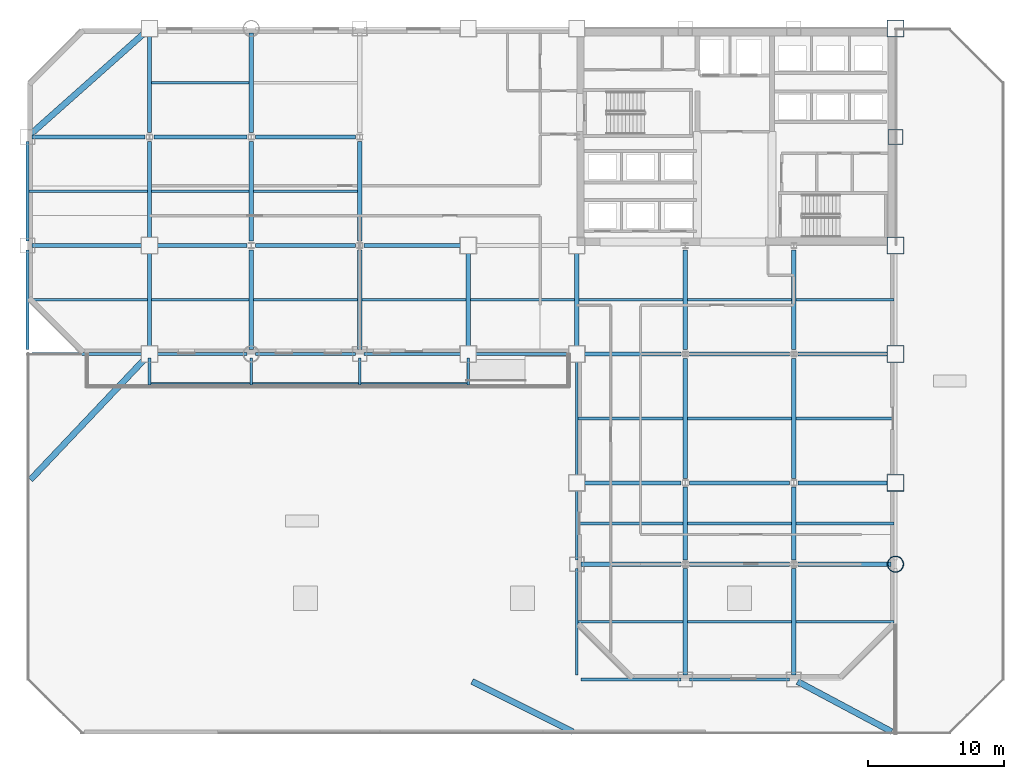
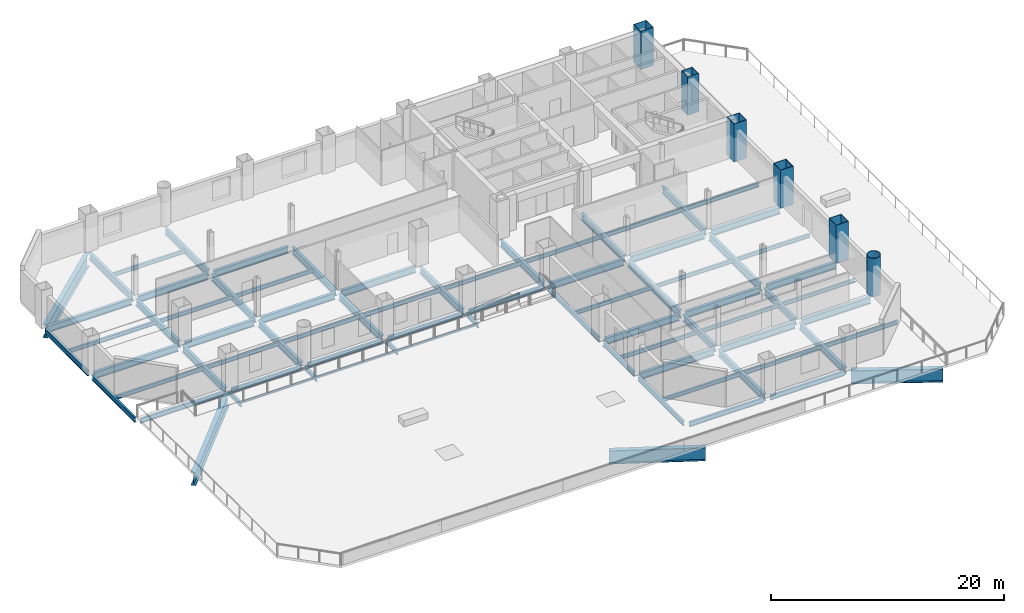
# One storey, part 3 of 11: 78 beams, 6 columns.
"""IFC4 building model written with IfcOpenShell, lengths in metres."""

import ifcopenshell
import ifcopenshell.guid

model = None  # the IFC model being written
_history = None  # IfcOwnerHistory: only IFC2X3 demands one
_inside = {}  # id of a spatial element -> (the spatial element, [elements in it])
_under = {}  # id of a project, library or spatial element -> (it, [spatial elements below it])
_declared = {}  # id of a project -> (the project, [libraries it declares])
_typed = {}  # id of a type object -> (the type object, [elements of that type])
_made_of = {}  # id of a material, layer set ... -> (it, [elements and type objects made of it])


def new_model(schema):
    """Start an empty IFC model of exactly this schema.

    Asked for "IFC4X3", IfcOpenShell would pick the latest addendum, in which some entities
    have other attributes; the version numbers below select the first issue.
    IFC2X3 requires an IfcOwnerHistory on every rooted entity: one is made here for all.
    """
    global model, _history
    if schema == "IFC4X3":
        model = ifcopenshell.file(schema_version=(4, 3, 0, 0))
    else:
        model = ifcopenshell.file(schema=schema)
    _inside.clear()
    _under.clear()
    _declared.clear()
    _typed.clear()
    _made_of.clear()
    _history = None
    if model.schema == "IFC2X3":
        org = make("IfcOrganization", Name="unknown")
        user = make(
            "IfcPersonAndOrganization",
            ThePerson=make("IfcPerson", FamilyName="unknown"),
            TheOrganization=org,
        )
        app = make(
            "IfcApplication",
            ApplicationDeveloper=org,
            Version="unknown",
            ApplicationFullName="unknown",
            ApplicationIdentifier="unknown",
        )
        _history = make(
            "IfcOwnerHistory",
            OwningUser=user,
            OwningApplication=app,
            ChangeAction="ADDED",
            CreationDate=0,
        )
    return model


def make(cls, **values):
    """One entity of the class cls with the attributes given. An attribute that is None is left unset."""
    return model.create_entity(
        cls, **{name: value for name, value in values.items() if value is not None}
    )


def rooted(cls, **values):
    """An entity with a GlobalId (a new one), such as an element, a storey or a relation."""
    return make(cls, GlobalId=ifcopenshell.guid.new(), OwnerHistory=_history, **values)


def si_unit(unit_type, name, prefix=None):
    """IfcSIUnit, for example si_unit("LENGTHUNIT", "METRE", prefix="MILLI")."""
    return make("IfcSIUnit", UnitType=unit_type, Prefix=prefix, Name=name)


def assignment(units):
    """IfcUnitAssignment: the units of a project."""
    return None if units is None else make("IfcUnitAssignment", Units=units)


def point(xyz):
    """IfcCartesianPoint."""
    return None if xyz is None else make("IfcCartesianPoint", Coordinates=xyz)


def direction(xyz):
    """IfcDirection."""
    return None if xyz is None else make("IfcDirection", DirectionRatios=xyz)


def frame(location, z_axis=None, x_axis=None):
    """IfcAxis2Placement3D, a coordinate frame: its origin and axes. An axis left out is left unset."""
    return make(
        "IfcAxis2Placement3D",
        Location=point(location),
        Axis=direction(z_axis),
        RefDirection=direction(x_axis),
    )


def frame_2d(location, x_axis=None):
    """IfcAxis2Placement2D, a coordinate frame in the plane: its origin and x axis."""
    return make(
        "IfcAxis2Placement2D", Location=point(location), RefDirection=direction(x_axis)
    )


def origin():
    """The frame at (0, 0, 0) with its axes left unset."""
    return frame((0.0, 0.0, 0.0))


def origin_2d():
    """The frame at (0, 0) in the plane with its x axis left unset."""
    return frame_2d((0.0, 0.0))


def place(relative_to, where):
    """IfcLocalPlacement: puts the frame where relative to a parent placement (None: the world)."""
    return make(
        "IfcLocalPlacement", PlacementRelTo=relative_to, RelativePlacement=where
    )


def context(
    kind, dimensions, precision=None, world=None, true_north=None, identifier=None
):
    """IfcGeometricRepresentationContext, for example the 3D "Model" context."""
    return make(
        "IfcGeometricRepresentationContext",
        ContextIdentifier=identifier,
        ContextType=kind,
        CoordinateSpaceDimension=dimensions,
        Precision=precision,
        WorldCoordinateSystem=world,
        TrueNorth=true_north,
    )


def subcontext(parent, identifier, kind, view, scale=None):
    """IfcGeometricRepresentationSubContext, for example "Body" below "Model"."""
    return make(
        "IfcGeometricRepresentationSubContext",
        ContextIdentifier=identifier,
        ContextType=kind,
        ParentContext=parent,
        TargetScale=scale,
        TargetView=view,
    )


def project(units=None, contexts=None):
    """IfcProject with its units and contexts."""
    return rooted(
        "IfcProject",
        Name="project",
        RepresentationContexts=contexts,
        UnitsInContext=assignment(units),
    )


def spatial(cls, under=None, at=None, **own):
    """A site, building, storey or space (cls), placed at a placement, below another one or the project."""
    s = rooted(cls, ObjectPlacement=at, **own)
    if under is not None:
        _under.setdefault(under.id(), (under, []))[1].append(s)
    return s


def profile(cls, at=None, kind="AREA", **sizes):
    """A parametric profile (cls). Its sizes go by their IFC names, for example OverallWidth=200.0."""
    return make(cls, ProfileType=kind, Position=at, **sizes)


def hollow_rectangle(**sizes):
    """IfcRectangleHollowProfileDef."""
    return profile("IfcRectangleHollowProfileDef", **sizes)


def hollow_circle(**sizes):
    """IfcCircleHollowProfileDef."""
    return profile("IfcCircleHollowProfileDef", **sizes)


def i_section(**sizes):
    """IfcIShapeProfileDef."""
    return profile("IfcIShapeProfileDef", **sizes)


def extrude(swept, where, along, depth):
    """IfcExtrudedAreaSolid: the profile swept, set in the frame where, extruded along a direction by depth."""
    return make(
        "IfcExtrudedAreaSolid",
        SweptArea=swept,
        Position=where,
        ExtrudedDirection=direction(along),
        Depth=depth,
    )


def shape(context_of_items, identifier, shape_type, items):
    """IfcShapeRepresentation: the items that make up one representation, for example the "Body"."""
    return make(
        "IfcShapeRepresentation",
        ContextOfItems=context_of_items,
        RepresentationIdentifier=identifier,
        RepresentationType=shape_type,
        Items=items,
    )


def material(Name=None, Category=None):
    """IfcMaterial."""
    return make("IfcMaterial", Name=Name, Category=Category)


def material_profile(
    of_material, cross_section, Name=None, Category=None, Priority=None
):
    """IfcMaterialProfile: a cross section and its material."""
    return make(
        "IfcMaterialProfile",
        Name=Name,
        Material=of_material,
        Profile=cross_section,
        Priority=Priority,
        Category=Category,
    )


def profile_set(profiles, Name=None, composite=None):
    """IfcMaterialProfileSet."""
    return make(
        "IfcMaterialProfileSet",
        Name=Name,
        MaterialProfiles=profiles,
        CompositeProfile=composite,
    )


def made_of(thing, what):
    """Note that an element or type object is made of a material, layer set ...; save() writes the relation."""
    if what is not None:
        _made_of.setdefault(what.id(), (what, []))[1].append(thing)
    return thing


def type_object(cls, material=None, **own):
    """A type object (cls), such as IfcWallType, which elements share."""
    return made_of(rooted(cls, **own), material)


def element(
    cls,
    number,
    at=None,
    inside=None,
    cuts=None,
    type_object=None,
    material=None,
    context=None,
    identifier="Body",
    shape_type=None,
    held_by="IfcProductDefinitionShape",
    body=None,
    shapes=None,
    **own,
):
    """One element of the class cls, such as IfcWall. Its Tag is "e" and its number.

    at: its placement. inside: the storey or other place that contains it. cuts: it is an
    opening in that element (IfcRelVoidsElement). A single representation is given by context,
    identifier, shape_type and body (its items); several are given by shapes. held_by: the class
    of the entity that holds the representations. save() writes the other relations.
    """
    e = rooted(cls, Tag="e%d" % number, ObjectPlacement=at, **own)
    if body is not None:
        shapes = [shape(context, identifier, shape_type, body)]
    if shapes is not None:
        e.Representation = make(held_by, Representations=shapes)
    if inside is not None:
        _inside.setdefault(inside.id(), (inside, []))[1].append(e)
    if cuts is not None:
        rooted(
            "IfcRelVoidsElement", RelatingBuildingElement=cuts, RelatedOpeningElement=e
        )
    if type_object is not None:
        _typed.setdefault(type_object.id(), (type_object, []))[1].append(e)
    return made_of(e, material)


def aggregate(whole, parts):
    """IfcRelAggregates: a whole, such as a stair, and the parts it consists of."""
    return rooted("IfcRelAggregates", RelatingObject=whole, RelatedObjects=parts)


def save(model, path):
    """Write the relations noted so far, then the file.

    IfcRelAggregates (storeys below a building ...), IfcRelContainedInSpatialStructure (elements
    in a storey), IfcRelDefinesByType, IfcRelAssociatesMaterial and IfcRelDeclares: one each for
    every whole, place, type object, material and project.
    """
    for whole, parts in _under.values():
        aggregate(whole, parts)
    for where, things in _inside.values():
        rooted(
            "IfcRelContainedInSpatialStructure",
            RelatedElements=things,
            RelatingStructure=where,
        )
    for kind, things in _typed.values():
        rooted("IfcRelDefinesByType", RelatedObjects=things, RelatingType=kind)
    for what, things in _made_of.values():
        rooted("IfcRelAssociatesMaterial", RelatedObjects=things, RelatingMaterial=what)
    for by, libraries in _declared.values():
        rooted("IfcRelDeclares", RelatingContext=by, RelatedDefinitions=libraries)
    model.write(path)


model = new_model("IFC4")

# Units and contexts
model_context = context("Model", 3, precision=1e-05, world=origin(), true_north=direction((0.0, 1.0)))
body_context = subcontext(model_context, "Body", "Model", "MODEL_VIEW")
ifc_project = project(units=[si_unit("LENGTHUNIT", "METRE"), si_unit("AREAUNIT", "SQUARE_METRE"), si_unit("VOLUMEUNIT", "CUBIC_METRE"), si_unit("PLANEANGLEUNIT", "RADIAN"), si_unit("MASSUNIT", "GRAM", prefix="KILO")], contexts=[model_context])

# Site, building, storey
site_placement = place(None, origin())
site = spatial("IfcSite", under=ifc_project, at=site_placement, CompositionType="ELEMENT")
building_placement = place(site_placement, origin())
building = spatial("IfcBuilding", under=site, at=building_placement, Name="Qianrong Seaharbour Tower", CompositionType="ELEMENT")
storey_placement = place(building_placement, frame((0.0, 0.0, 28.199951171875)))
storey = spatial("IfcBuildingStorey", under=building, at=storey_placement, Name="L06", CompositionType="ELEMENT", Elevation=28.199951171875)

# Columns
ifc_material_1 = material(Name="Structural steel SN490B", Category="steel")
ifc_material_profile_1 = material_profile(ifc_material_1, hollow_rectangle(XDim=1.25, YDim=1.25, WallThickness=0.044921875, at=origin_2d()), Name="BOX1250x1250x45")
ifc_profile_set_1 = profile_set([ifc_material_profile_1], Name="Structural steel SN490B")
column_type_1 = type_object("IfcColumnType", Name="COL-CFT-1250", PredefinedType="COLUMN", material=ifc_profile_set_1)
for number, where, z_axis, x_axis, name in (
    (1, (64.0, 18.5, 0.0), (0.0, 0.0, 1.0), (1.0, 0.0, 0.0), "L06 Column MC-2 at G9/GD"),
    (2, (64.0, 28.0, 0.0), (0.0, 0.0, 1.0), (1.0, 0.0, 0.0), "L06 Column MC-2 at G9/GE"),
    (3, (64.0, 36.0, 0.0), (0.0, 0.0, 1.0), (1.0, 0.0, 0.0), "L06 Column MC-2 at G9/GF"),
    (4, (64.0, 52.0, 0.0), (0.0, 0.0, 1.0), (1.0, 0.0, 0.0), "L06 Column MC-2 at G9/GH"),
):
    element("IfcColumn", number, at=place(storey_placement, frame(where, z_axis=z_axis, x_axis=x_axis)), inside=storey, type_object=column_type_1, Name=name, PredefinedType="COLUMN", context=body_context, shape_type="SweptSolid", body=[
        extrude(hollow_rectangle(XDim=1.25, YDim=1.25, WallThickness=0.044921875, at=origin_2d()), origin(), (0.0, 0.0, 1.0), 4.0),
    ])
ifc_material_profile_2 = material_profile(ifc_material_1, hollow_circle(Radius=0.60009765625, WallThickness=0.0400390625, at=origin_2d()), Name="CHS1200x40")
ifc_profile_set_2 = profile_set([ifc_material_profile_2], Name="Structural steel SN490B")
column_type_2 = type_object("IfcColumnType", Name="COL-CHS-1200", PredefinedType="COLUMN", material=ifc_profile_set_2)
column_1_placement = place(storey_placement, frame((64.0, 12.5, 0.0), z_axis=(0.0, 0.0, 1.0), x_axis=(1.0, 0.0, 0.0)))
element("IfcColumn", 5, at=column_1_placement, inside=storey, type_object=column_type_2, Name="L06 Column CC-1 at G9/GC", PredefinedType="COLUMN", context=body_context, shape_type="SweptSolid", body=[
    extrude(hollow_circle(Radius=0.60009765625, WallThickness=0.0400390625, at=origin_2d()), origin(), (0.0, 0.0, 1.0), 4.0),
])
ifc_material_profile_3 = material_profile(ifc_material_1, hollow_rectangle(XDim=1.10009765625, YDim=1.10009765625, WallThickness=0.0400390625, at=origin_2d()), Name="BOX1100x1100x40")
ifc_profile_set_3 = profile_set([ifc_material_profile_3], Name="Structural steel SN490B")
column_type_3 = type_object("IfcColumnType", Name="COL-PER-1100", PredefinedType="COLUMN", material=ifc_profile_set_3)
column_2_placement = place(storey_placement, frame((64.0, 44.0, 0.0), z_axis=(0.0, 0.0, 1.0), x_axis=(1.0, 0.0, 0.0)))
element("IfcColumn", 6, at=column_2_placement, inside=storey, type_object=column_type_3, Name="L06 Column PC-1 at G9/GG", PredefinedType="COLUMN", context=body_context, shape_type="SweptSolid", body=[
    extrude(hollow_rectangle(XDim=1.10009765625, YDim=1.10009765625, WallThickness=0.0400390625, at=origin_2d()), origin(), (0.0, 0.0, 1.0), 4.0),
])

# Beams
ifc_material_profile_4 = material_profile(ifc_material_1, i_section(OverallWidth=0.300048828125, OverallDepth=0.699951171875, WebThickness=0.012939453125, FlangeThickness=0.02392578125, FilletRadius=0.02587890625, at=origin_2d()), Name="H700x300x13x24")
ifc_profile_set_4 = profile_set([ifc_material_profile_4], Name="Structural steel SN490B")
beam_type_1 = type_object("IfcBeamType", Name="BM-G-700", PredefinedType="BEAM", material=ifc_profile_set_4)
for number, where, z_axis, x_axis, name in (
    (7, (40.820068359375, 12.5, -0.599853515625), (1.0, 0.0, 0.0), (0.0, 1.0, 0.0), "L06 Primary Girder GC G6-G7"),
    (8, (48.820068359375, 12.5, -0.599853515625), (1.0, 0.0, 0.0), (0.0, 1.0, 0.0), "L06 Primary Girder GC G7-G8"),
):
    element("IfcBeam", number, at=place(storey_placement, frame(where, z_axis=z_axis, x_axis=x_axis)), inside=storey, type_object=beam_type_1, Name=name, PredefinedType="BEAM", context=body_context, shape_type="SweptSolid", body=[
        extrude(i_section(OverallWidth=0.300048828125, OverallDepth=0.699951171875, WebThickness=0.012939453125, FlangeThickness=0.02392578125, FilletRadius=0.02587890625, at=origin_2d()), origin(), (0.0, 0.0, 1.0), 7.35986328125),
    ])
beam_1_placement = place(storey_placement, frame((56.820068359375, 12.5, -0.599853515625), z_axis=(1.0, 0.0, 0.0), x_axis=(0.0, 1.0, 0.0)))
element("IfcBeam", 9, at=beam_1_placement, inside=storey, type_object=beam_type_1, Name="L06 Primary Girder GC G8-G9", PredefinedType="BEAM", context=body_context, shape_type="SweptSolid", body=[
    extrude(i_section(OverallWidth=0.300048828125, OverallDepth=0.699951171875, WebThickness=0.012939453125, FlangeThickness=0.02392578125, FilletRadius=0.02587890625, at=origin_2d()), origin(), (0.0, 0.0, 1.0), 6.85986328125),
])
for number, where, z_axis, x_axis, name in (
    (10, (40.820068359375, 18.5, -0.599853515625), (1.0, 0.0, 0.0), (0.0, 1.0, 0.0), "L06 Primary Girder GD G6-G7"),
    (11, (48.820068359375, 18.5, -0.599853515625), (1.0, 0.0, 0.0), (0.0, 1.0, 0.0), "L06 Primary Girder GD G7-G8"),
):
    element("IfcBeam", number, at=place(storey_placement, frame(where, z_axis=z_axis, x_axis=x_axis)), inside=storey, type_object=beam_type_1, Name=name, PredefinedType="BEAM", context=body_context, shape_type="SweptSolid", body=[
        extrude(i_section(OverallWidth=0.300048828125, OverallDepth=0.699951171875, WebThickness=0.012939453125, FlangeThickness=0.02392578125, FilletRadius=0.02587890625, at=origin_2d()), origin(), (0.0, 0.0, 1.0), 7.35986328125),
    ])
beam_2_placement = place(storey_placement, frame((56.820068359375, 18.5, -0.599853515625), z_axis=(1.0, 0.0, 0.0), x_axis=(0.0, 1.0, 0.0)))
element("IfcBeam", 12, at=beam_2_placement, inside=storey, type_object=beam_type_1, Name="L06 Primary Girder GD G8-G9", PredefinedType="BEAM", context=body_context, shape_type="SweptSolid", body=[
    extrude(i_section(OverallWidth=0.300048828125, OverallDepth=0.699951171875, WebThickness=0.012939453125, FlangeThickness=0.02392578125, FilletRadius=0.02587890625, at=origin_2d()), origin(), (0.0, 0.0, 1.0), 6.85986328125),
])
for number, where, z_axis, x_axis, name in (
    (13, (40.820068359375, 28.0, -0.599853515625), (1.0, 0.0, 0.0), (0.0, 1.0, 0.0), "L06 Primary Girder GE G6-G7"),
    (14, (48.820068359375, 28.0, -0.599853515625), (1.0, 0.0, 0.0), (0.0, 1.0, 0.0), "L06 Primary Girder GE G7-G8"),
):
    element("IfcBeam", number, at=place(storey_placement, frame(where, z_axis=z_axis, x_axis=x_axis)), inside=storey, type_object=beam_type_1, Name=name, PredefinedType="BEAM", context=body_context, shape_type="SweptSolid", body=[
        extrude(i_section(OverallWidth=0.300048828125, OverallDepth=0.699951171875, WebThickness=0.012939453125, FlangeThickness=0.02392578125, FilletRadius=0.02587890625, at=origin_2d()), origin(), (0.0, 0.0, 1.0), 7.35986328125),
    ])
beam_3_placement = place(storey_placement, frame((56.820068359375, 28.0, -0.599853515625), z_axis=(1.0, 0.0, 0.0), x_axis=(0.0, 1.0, 0.0)))
element("IfcBeam", 15, at=beam_3_placement, inside=storey, type_object=beam_type_1, Name="L06 Primary Girder GE G8-G9", PredefinedType="BEAM", context=body_context, shape_type="SweptSolid", body=[
    extrude(i_section(OverallWidth=0.300048828125, OverallDepth=0.699951171875, WebThickness=0.012939453125, FlangeThickness=0.02392578125, FilletRadius=0.02587890625, at=origin_2d()), origin(), (0.0, 0.0, 1.0), 6.85986328125),
])
beam_4_placement = place(storey_placement, frame((0.320068359375, 36.0, -0.599853515625), z_axis=(1.0, 0.0, 0.0), x_axis=(0.0, 1.0, 0.0)))
element("IfcBeam", 16, at=beam_4_placement, inside=storey, type_object=beam_type_1, Name="L06 Primary Girder GF G1-G2", PredefinedType="BEAM", context=body_context, shape_type="SweptSolid", body=[
    extrude(i_section(OverallWidth=0.300048828125, OverallDepth=0.699951171875, WebThickness=0.012939453125, FlangeThickness=0.02392578125, FilletRadius=0.02587890625, at=origin_2d()), origin(), (0.0, 0.0, 1.0), 8.35986328125),
])
beam_5_placement = place(storey_placement, frame((9.320068359375, 36.0, -0.599853515625), z_axis=(1.0, 0.0, 0.0), x_axis=(0.0, 1.0, 0.0)))
element("IfcBeam", 17, at=beam_5_placement, inside=storey, type_object=beam_type_1, Name="L06 Primary Girder GF G2-G3", PredefinedType="BEAM", context=body_context, shape_type="SweptSolid", body=[
    extrude(i_section(OverallWidth=0.300048828125, OverallDepth=0.699951171875, WebThickness=0.012939453125, FlangeThickness=0.02392578125, FilletRadius=0.02587890625, at=origin_2d()), origin(), (0.0, 0.0, 1.0), 6.85986328125),
])
for number, where, z_axis, x_axis, name in (
    (18, (16.820068359375, 36.0, -0.599853515625), (1.0, 0.0, 0.0), (0.0, 1.0, 0.0), "L06 Primary Girder GF G3-G4"),
    (19, (24.820068359375, 36.0, -0.599853515625), (1.0, 0.0, 0.0), (0.0, 1.0, 0.0), "L06 Primary Girder GF G4-G5"),
):
    element("IfcBeam", number, at=place(storey_placement, frame(where, z_axis=z_axis, x_axis=x_axis)), inside=storey, type_object=beam_type_1, Name=name, PredefinedType="BEAM", context=body_context, shape_type="SweptSolid", body=[
        extrude(i_section(OverallWidth=0.300048828125, OverallDepth=0.699951171875, WebThickness=0.012939453125, FlangeThickness=0.02392578125, FilletRadius=0.02587890625, at=origin_2d()), origin(), (0.0, 0.0, 1.0), 7.35986328125),
    ])
beam_6_placement = place(storey_placement, frame((0.320068359375, 44.0, -0.599853515625), z_axis=(1.0, 0.0, 0.0), x_axis=(0.0, 1.0, 0.0)))
element("IfcBeam", 20, at=beam_6_placement, inside=storey, type_object=beam_type_1, Name="L06 Primary Girder GG G1-G2", PredefinedType="BEAM", context=body_context, shape_type="SweptSolid", body=[
    extrude(i_section(OverallWidth=0.300048828125, OverallDepth=0.699951171875, WebThickness=0.012939453125, FlangeThickness=0.02392578125, FilletRadius=0.02587890625, at=origin_2d()), origin(), (0.0, 0.0, 1.0), 8.35986328125),
])
beam_7_placement = place(storey_placement, frame((9.320068359375, 44.0, -0.599853515625), z_axis=(1.0, 0.0, 0.0), x_axis=(0.0, 1.0, 0.0)))
element("IfcBeam", 21, at=beam_7_placement, inside=storey, type_object=beam_type_1, Name="L06 Primary Girder GG G2-G3", PredefinedType="BEAM", context=body_context, shape_type="SweptSolid", body=[
    extrude(i_section(OverallWidth=0.300048828125, OverallDepth=0.699951171875, WebThickness=0.012939453125, FlangeThickness=0.02392578125, FilletRadius=0.02587890625, at=origin_2d()), origin(), (0.0, 0.0, 1.0), 6.85986328125),
])
for number, where, z_axis, x_axis, name in (
    (22, (16.820068359375, 44.0, -0.599853515625), (1.0, 0.0, 0.0), (0.0, 1.0, 0.0), "L06 Primary Girder GG G3-G4"),
    (23, (9.0, 28.320068359375, -0.599853515625), (0.0, 1.0, 0.0), (-1.0, 0.0, 0.0), "L06 Primary Girder G2 GE-GF"),
    (24, (9.0, 36.320068359375, -0.599853515625), (0.0, 1.0, 0.0), (-1.0, 0.0, 0.0), "L06 Primary Girder G2 GF-GG"),
    (25, (9.0, 44.320068359375, -0.599853515625), (0.0, 1.0, 0.0), (-1.0, 0.0, 0.0), "L06 Primary Girder G2 GG-GH"),
    (26, (16.5, 28.320068359375, -0.599853515625), (0.0, 1.0, 0.0), (-1.0, 0.0, 0.0), "L06 Primary Girder G3 GE-GF"),
    (27, (16.5, 36.320068359375, -0.599853515625), (0.0, 1.0, 0.0), (-1.0, 0.0, 0.0), "L06 Primary Girder G3 GF-GG"),
    (28, (16.5, 44.320068359375, -0.599853515625), (0.0, 1.0, 0.0), (-1.0, 0.0, 0.0), "L06 Primary Girder G3 GG-GH"),
    (29, (24.5, 28.320068359375, -0.599853515625), (0.0, 1.0, 0.0), (-1.0, 0.0, 0.0), "L06 Primary Girder G4 GE-GF"),
    (30, (24.5, 36.320068359375, -0.599853515625), (0.0, 1.0, 0.0), (-1.0, 0.0, 0.0), "L06 Primary Girder G4 GF-GG"),
    (31, (32.5, 28.320068359375, -0.599853515625), (0.0, 1.0, 0.0), (-1.0, 0.0, 0.0), "L06 Primary Girder G5 GE-GF"),
    (32, (40.5, 28.320068359375, -0.599853515625), (0.0, 1.0, 0.0), (-1.0, 0.0, 0.0), "L06 Primary Girder G6 GE-GF"),
):
    element("IfcBeam", number, at=place(storey_placement, frame(where, z_axis=z_axis, x_axis=x_axis)), inside=storey, type_object=beam_type_1, Name=name, PredefinedType="BEAM", context=body_context, shape_type="SweptSolid", body=[
        extrude(i_section(OverallWidth=0.300048828125, OverallDepth=0.699951171875, WebThickness=0.012939453125, FlangeThickness=0.02392578125, FilletRadius=0.02587890625, at=origin_2d()), origin(), (0.0, 0.0, 1.0), 7.35986328125),
    ])
beam_8_placement = place(storey_placement, frame((48.5, 4.320068359375, -0.599853515625), z_axis=(0.0, 1.0, 0.0), x_axis=(-1.0, 0.0, 0.0)))
element("IfcBeam", 33, at=beam_8_placement, inside=storey, type_object=beam_type_1, Name="L06 Primary Girder G7 GB-GC", PredefinedType="BEAM", context=body_context, shape_type="SweptSolid", body=[
    extrude(i_section(OverallWidth=0.300048828125, OverallDepth=0.699951171875, WebThickness=0.012939453125, FlangeThickness=0.02392578125, FilletRadius=0.02587890625, at=origin_2d()), origin(), (0.0, 0.0, 1.0), 7.85986328125),
])
beam_9_placement = place(storey_placement, frame((48.5, 12.820068359375, -0.599853515625), z_axis=(0.0, 1.0, 0.0), x_axis=(-1.0, 0.0, 0.0)))
element("IfcBeam", 34, at=beam_9_placement, inside=storey, type_object=beam_type_1, Name="L06 Primary Girder G7 GC-GD", PredefinedType="BEAM", context=body_context, shape_type="SweptSolid", body=[
    extrude(i_section(OverallWidth=0.300048828125, OverallDepth=0.699951171875, WebThickness=0.012939453125, FlangeThickness=0.02392578125, FilletRadius=0.02587890625, at=origin_2d()), origin(), (0.0, 0.0, 1.0), 5.35986328125),
])
beam_10_placement = place(storey_placement, frame((48.5, 28.320068359375, -0.599853515625), z_axis=(0.0, 1.0, 0.0), x_axis=(-1.0, 0.0, 0.0)))
element("IfcBeam", 35, at=beam_10_placement, inside=storey, type_object=beam_type_1, Name="L06 Primary Girder G7 GE-GF", PredefinedType="BEAM", context=body_context, shape_type="SweptSolid", body=[
    extrude(i_section(OverallWidth=0.300048828125, OverallDepth=0.699951171875, WebThickness=0.012939453125, FlangeThickness=0.02392578125, FilletRadius=0.02587890625, at=origin_2d()), origin(), (0.0, 0.0, 1.0), 7.35986328125),
])
beam_11_placement = place(storey_placement, frame((56.5, 4.320068359375, -0.599853515625), z_axis=(0.0, 1.0, 0.0), x_axis=(-1.0, 0.0, 0.0)))
element("IfcBeam", 36, at=beam_11_placement, inside=storey, type_object=beam_type_1, Name="L06 Primary Girder G8 GB-GC", PredefinedType="BEAM", context=body_context, shape_type="SweptSolid", body=[
    extrude(i_section(OverallWidth=0.300048828125, OverallDepth=0.699951171875, WebThickness=0.012939453125, FlangeThickness=0.02392578125, FilletRadius=0.02587890625, at=origin_2d()), origin(), (0.0, 0.0, 1.0), 7.85986328125),
])
beam_12_placement = place(storey_placement, frame((56.5, 12.820068359375, -0.599853515625), z_axis=(0.0, 1.0, 0.0), x_axis=(-1.0, 0.0, 0.0)))
element("IfcBeam", 37, at=beam_12_placement, inside=storey, type_object=beam_type_1, Name="L06 Primary Girder G8 GC-GD", PredefinedType="BEAM", context=body_context, shape_type="SweptSolid", body=[
    extrude(i_section(OverallWidth=0.300048828125, OverallDepth=0.699951171875, WebThickness=0.012939453125, FlangeThickness=0.02392578125, FilletRadius=0.02587890625, at=origin_2d()), origin(), (0.0, 0.0, 1.0), 5.35986328125),
])
beam_13_placement = place(storey_placement, frame((56.5, 28.320068359375, -0.599853515625), z_axis=(0.0, 1.0, 0.0), x_axis=(-1.0, 0.0, 0.0)))
element("IfcBeam", 38, at=beam_13_placement, inside=storey, type_object=beam_type_1, Name="L06 Primary Girder G8 GE-GF", PredefinedType="BEAM", context=body_context, shape_type="SweptSolid", body=[
    extrude(i_section(OverallWidth=0.300048828125, OverallDepth=0.699951171875, WebThickness=0.012939453125, FlangeThickness=0.02392578125, FilletRadius=0.02587890625, at=origin_2d()), origin(), (0.0, 0.0, 1.0), 7.35986328125),
])
ifc_material_profile_5 = material_profile(ifc_material_1, i_section(OverallWidth=0.300048828125, OverallDepth=0.800048828125, WebThickness=0.013916015625, FlangeThickness=0.02587890625, FilletRadius=0.028076171875, at=origin_2d()), Name="H800x300x14x26")
ifc_profile_set_5 = profile_set([ifc_material_profile_5], Name="Structural steel SN490B")
beam_type_2 = type_object("IfcBeamType", Name="BM-G-800", PredefinedType="BEAM", material=ifc_profile_set_5)
for number, where, z_axis, x_axis, name in (
    (39, (48.5, 18.820068359375, -0.64990234375), (0.0, 1.0, 0.0), (-1.0, 0.0, 0.0), "L06 Primary Girder G7 GD-GE"),
    (40, (56.5, 18.820068359375, -0.64990234375), (0.0, 1.0, 0.0), (-1.0, 0.0, 0.0), "L06 Primary Girder G8 GD-GE"),
):
    element("IfcBeam", number, at=place(storey_placement, frame(where, z_axis=z_axis, x_axis=x_axis)), inside=storey, type_object=beam_type_2, Name=name, PredefinedType="BEAM", context=body_context, shape_type="SweptSolid", body=[
        extrude(i_section(OverallWidth=0.300048828125, OverallDepth=0.800048828125, WebThickness=0.013916015625, FlangeThickness=0.02587890625, FilletRadius=0.028076171875, at=origin_2d()), origin(), (0.0, 0.0, 1.0), 8.85986328125),
    ])
ifc_material_2 = material(Name="Structural steel SN400B", Category="steel")
ifc_material_profile_6 = material_profile(ifc_material_2, i_section(OverallWidth=0.199951171875, OverallDepth=0.39990234375, WebThickness=0.008056640625, FlangeThickness=0.012939453125, FilletRadius=0.01611328125, at=origin_2d()), Name="H400x200x8x13")
ifc_profile_set_6 = profile_set([ifc_material_profile_6], Name="Structural steel SN400B")
beam_type_3 = type_object("IfcBeamType", Name="BM-J-400", PredefinedType="JOIST", material=ifc_profile_set_6)
for number, where, z_axis, x_axis, name in (
    (41, (0.10009765625, 32.0, -0.449951171875), (1.0, 0.0, 0.0), (0.0, 1.0, 0.0), "L06 Composite Floor Joist G1-G2/GE-GF"),
    (42, (0.10009765625, 40.0, -0.449951171875), (1.0, 0.0, 0.0), (0.0, 1.0, 0.0), "L06 Composite Floor Joist G1-G2/GF-GG"),
):
    element("IfcBeam", number, at=place(storey_placement, frame(where, z_axis=z_axis, x_axis=x_axis)), inside=storey, type_object=beam_type_3, Name=name, PredefinedType="JOIST", context=body_context, shape_type="SweptSolid", body=[
        extrude(i_section(OverallWidth=0.199951171875, OverallDepth=0.39990234375, WebThickness=0.008056640625, FlangeThickness=0.012939453125, FilletRadius=0.01611328125, at=origin_2d()), origin(), (0.0, 0.0, 1.0), 8.75),
    ])
for number, where, z_axis, x_axis, name in (
    (43, (9.14990234375, 32.0, -0.449951171875), (1.0, 0.0, 0.0), (0.0, 1.0, 0.0), "L06 Composite Floor Joist G2-G3/GE-GF"),
    (44, (9.14990234375, 40.0, -0.449951171875), (1.0, 0.0, 0.0), (0.0, 1.0, 0.0), "L06 Composite Floor Joist G2-G3/GF-GG"),
    (45, (9.14990234375, 48.0, -0.449951171875), (1.0, 0.0, 0.0), (0.0, 1.0, 0.0), "L06 Composite Floor Joist G2-G3/GG-GH"),
):
    element("IfcBeam", number, at=place(storey_placement, frame(where, z_axis=z_axis, x_axis=x_axis)), inside=storey, type_object=beam_type_3, Name=name, PredefinedType="JOIST", context=body_context, shape_type="SweptSolid", body=[
        extrude(i_section(OverallWidth=0.199951171875, OverallDepth=0.39990234375, WebThickness=0.008056640625, FlangeThickness=0.012939453125, FilletRadius=0.01611328125, at=origin_2d()), origin(), (0.0, 0.0, 1.0), 7.2001953125),
    ])
for number, where, z_axis, x_axis, name in (
    (46, (16.64990234375, 32.0, -0.449951171875), (1.0, 0.0, 0.0), (0.0, 1.0, 0.0), "L06 Composite Floor Joist G3-G4/GE-GF"),
    (47, (16.64990234375, 40.0, -0.449951171875), (1.0, 0.0, 0.0), (0.0, 1.0, 0.0), "L06 Composite Floor Joist G3-G4/GF-GG"),
    (48, (24.64990234375, 32.0, -0.449951171875), (1.0, 0.0, 0.0), (0.0, 1.0, 0.0), "L06 Composite Floor Joist G4-G5/GE-GF"),
    (49, (32.64990234375, 32.0, -0.449951171875), (1.0, 0.0, 0.0), (0.0, 1.0, 0.0), "L06 Composite Floor Joist G5-G6/GE-GF"),
):
    element("IfcBeam", number, at=place(storey_placement, frame(where, z_axis=z_axis, x_axis=x_axis)), inside=storey, type_object=beam_type_3, Name=name, PredefinedType="JOIST", context=body_context, shape_type="SweptSolid", body=[
        extrude(i_section(OverallWidth=0.199951171875, OverallDepth=0.39990234375, WebThickness=0.008056640625, FlangeThickness=0.012939453125, FilletRadius=0.01611328125, at=origin_2d()), origin(), (0.0, 0.0, 1.0), 7.7001953125),
    ])
for number, where, z_axis, x_axis, name in (
    (50, (40.60009765625, 8.25, -0.449951171875), (1.0, 0.0, 0.0), (0.0, 1.0, 0.0), "L06 Composite Floor Joist G6-G7/GB-GC"),
    (51, (40.60009765625, 15.5, -0.449951171875), (1.0, 0.0, 0.0), (0.0, 1.0, 0.0), "L06 Composite Floor Joist G6-G7/GC-GD"),
    (52, (40.60009765625, 23.25, -0.449951171875), (1.0, 0.0, 0.0), (0.0, 1.0, 0.0), "L06 Composite Floor Joist G6-G7/GD-GE"),
):
    element("IfcBeam", number, at=place(storey_placement, frame(where, z_axis=z_axis, x_axis=x_axis)), inside=storey, type_object=beam_type_3, Name=name, PredefinedType="JOIST", context=body_context, shape_type="SweptSolid", body=[
        extrude(i_section(OverallWidth=0.199951171875, OverallDepth=0.39990234375, WebThickness=0.008056640625, FlangeThickness=0.012939453125, FilletRadius=0.01611328125, at=origin_2d()), origin(), (0.0, 0.0, 1.0), 7.75),
    ])
for number, where, z_axis, x_axis, name in (
    (53, (40.64990234375, 32.0, -0.449951171875), (1.0, 0.0, 0.0), (0.0, 1.0, 0.0), "L06 Composite Floor Joist G6-G7/GE-GF"),
    (54, (48.64990234375, 8.25, -0.449951171875), (1.0, 0.0, 0.0), (0.0, 1.0, 0.0), "L06 Composite Floor Joist G7-G8/GB-GC"),
    (55, (48.64990234375, 15.5, -0.449951171875), (1.0, 0.0, 0.0), (0.0, 1.0, 0.0), "L06 Composite Floor Joist G7-G8/GC-GD"),
    (56, (48.64990234375, 23.25, -0.449951171875), (1.0, 0.0, 0.0), (0.0, 1.0, 0.0), "L06 Composite Floor Joist G7-G8/GD-GE"),
    (57, (48.64990234375, 32.0, -0.449951171875), (1.0, 0.0, 0.0), (0.0, 1.0, 0.0), "L06 Composite Floor Joist G7-G8/GE-GF"),
):
    element("IfcBeam", number, at=place(storey_placement, frame(where, z_axis=z_axis, x_axis=x_axis)), inside=storey, type_object=beam_type_3, Name=name, PredefinedType="JOIST", context=body_context, shape_type="SweptSolid", body=[
        extrude(i_section(OverallWidth=0.199951171875, OverallDepth=0.39990234375, WebThickness=0.008056640625, FlangeThickness=0.012939453125, FilletRadius=0.01611328125, at=origin_2d()), origin(), (0.0, 0.0, 1.0), 7.7001953125),
    ])
for number, where, z_axis, x_axis, name in (
    (58, (56.64990234375, 8.25, -0.449951171875), (1.0, 0.0, 0.0), (0.0, 1.0, 0.0), "L06 Composite Floor Joist G8-G9/GB-GC"),
    (59, (56.64990234375, 15.5, -0.449951171875), (1.0, 0.0, 0.0), (0.0, 1.0, 0.0), "L06 Composite Floor Joist G8-G9/GC-GD"),
    (60, (56.64990234375, 23.25, -0.449951171875), (1.0, 0.0, 0.0), (0.0, 1.0, 0.0), "L06 Composite Floor Joist G8-G9/GD-GE"),
    (61, (56.64990234375, 32.0, -0.449951171875), (1.0, 0.0, 0.0), (0.0, 1.0, 0.0), "L06 Composite Floor Joist G8-G9/GE-GF"),
):
    element("IfcBeam", number, at=place(storey_placement, frame(where, z_axis=z_axis, x_axis=x_axis)), inside=storey, type_object=beam_type_3, Name=name, PredefinedType="JOIST", context=body_context, shape_type="SweptSolid", body=[
        extrude(i_section(OverallWidth=0.199951171875, OverallDepth=0.39990234375, WebThickness=0.008056640625, FlangeThickness=0.012939453125, FilletRadius=0.01611328125, at=origin_2d()), origin(), (0.0, 0.0, 1.0), 7.25),
    ])
ifc_material_profile_7 = material_profile(ifc_material_2, i_section(OverallWidth=0.10009765625, OverallDepth=0.199951171875, WebThickness=0.005615234375, FlangeThickness=0.008056640625, FilletRadius=0.010986328125, at=origin_2d()), Name="H200x100x5.5x8")
ifc_profile_set_7 = profile_set([ifc_material_profile_7], Name="Structural steel SN400B")
beam_type_4 = type_object("IfcBeamType", Name="BM-PURLIN-200", PredefinedType="JOIST", material=ifc_profile_set_7)
beam_14_placement = place(storey_placement, frame((9.10009765625, 25.840087890625, -0.349853515625), z_axis=(1.0, 0.0, 0.0), x_axis=(0.0, 1.0, 0.0)))
element("IfcBeam", 62, at=beam_14_placement, inside=storey, type_object=beam_type_4, Name="L06 Harbourfront Ribbon Edge Beam G3", PredefinedType="JOIST", context=body_context, shape_type="SweptSolid", body=[
    extrude(i_section(OverallWidth=0.10009765625, OverallDepth=0.199951171875, WebThickness=0.005615234375, FlangeThickness=0.008056640625, FilletRadius=0.010986328125, at=origin_2d()), origin(), (0.0, 0.0, 1.0), 7.2998046875),
])
for number, where, z_axis, x_axis, name in (
    (63, (16.60009765625, 25.840087890625, -0.349853515625), (1.0, 0.0, 0.0), (0.0, 1.0, 0.0), "L06 Harbourfront Ribbon Edge Beam G4"),
    (64, (24.60009765625, 25.840087890625, -0.349853515625), (1.0, 0.0, 0.0), (0.0, 1.0, 0.0), "L06 Harbourfront Ribbon Edge Beam G5"),
):
    element("IfcBeam", number, at=place(storey_placement, frame(where, z_axis=z_axis, x_axis=x_axis)), inside=storey, type_object=beam_type_4, Name=name, PredefinedType="JOIST", context=body_context, shape_type="SweptSolid", body=[
        extrude(i_section(OverallWidth=0.10009765625, OverallDepth=0.199951171875, WebThickness=0.005615234375, FlangeThickness=0.008056640625, FilletRadius=0.010986328125, at=origin_2d()), origin(), (0.0, 0.0, 1.0), 7.7998046875),
    ])
ifc_material_profile_8 = material_profile(ifc_material_1, i_section(OverallWidth=0.199951171875, OverallDepth=0.449951171875, WebThickness=0.009033203125, FlangeThickness=0.013916015625, FilletRadius=0.01806640625, at=origin_2d()), Name="H450x200x9x14")
ifc_profile_set_8 = profile_set([ifc_material_profile_8], Name="Structural steel SN490B")
beam_type_5 = type_object("IfcBeamType", Name="BM-RIB-450", PredefinedType="BEAM", material=ifc_profile_set_8)
for number, where, z_axis, x_axis, name in (
    (65, (9.0, 27.699951171875, -0.474853515625), (0.0, -1.0, 0.0), (1.0, 0.0, 0.0), "L06 Harbourfront Ribbon Cantilever Bracket G2"),
    (66, (16.5, 27.699951171875, -0.474853515625), (0.0, -1.0, 0.0), (1.0, 0.0, 0.0), "L06 Harbourfront Ribbon Cantilever Bracket G3"),
    (67, (24.5, 27.699951171875, -0.474853515625), (0.0, -1.0, 0.0), (1.0, 0.0, 0.0), "L06 Harbourfront Ribbon Cantilever Bracket G4"),
    (68, (32.5, 27.699951171875, -0.474853515625), (0.0, -1.0, 0.0), (1.0, 0.0, 0.0), "L06 Harbourfront Ribbon Cantilever Bracket G5"),
):
    element("IfcBeam", number, at=place(storey_placement, frame(where, z_axis=z_axis, x_axis=x_axis)), inside=storey, type_object=beam_type_5, Name=name, PredefinedType="BEAM", context=body_context, shape_type="SweptSolid", body=[
        extrude(i_section(OverallWidth=0.199951171875, OverallDepth=0.449951171875, WebThickness=0.009033203125, FlangeThickness=0.013916015625, FilletRadius=0.01806640625, at=origin_2d()), origin(), (0.0, 0.0, 1.0), 1.97998046875),
    ])
ifc_material_profile_9 = material_profile(ifc_material_1, i_section(OverallWidth=0.199951171875, OverallDepth=0.5, WebThickness=0.010009765625, FlangeThickness=0.01611328125, FilletRadius=0.02001953125, at=origin_2d()), Name="H500x200x10x16")
ifc_profile_set_9 = profile_set([ifc_material_profile_9], Name="Structural steel SN490B")
beam_type_6 = type_object("IfcBeamType", Name="BM-SP-500", PredefinedType="SPANDREL", material=ifc_profile_set_9)
for number, where, z_axis, x_axis, name in (
    (69, (40.820068359375, 4.0, -0.5), (1.0, 0.0, 0.0), (0.0, 1.0, 0.0), "L06 Spandrel Girder GB G6-G7"),
    (70, (48.820068359375, 4.0, -0.5), (1.0, 0.0, 0.0), (0.0, 1.0, 0.0), "L06 Spandrel Girder GB G7-G8"),
):
    element("IfcBeam", number, at=place(storey_placement, frame(where, z_axis=z_axis, x_axis=x_axis)), inside=storey, type_object=beam_type_6, Name=name, PredefinedType="SPANDREL", context=body_context, shape_type="SweptSolid", body=[
        extrude(i_section(OverallWidth=0.199951171875, OverallDepth=0.5, WebThickness=0.010009765625, FlangeThickness=0.01611328125, FilletRadius=0.02001953125, at=origin_2d()), origin(), (0.0, 0.0, 1.0), 7.35986328125),
    ])
beam_15_placement = place(storey_placement, frame((0.320068359375, 28.0, -0.5), z_axis=(1.0, 0.0, 0.0), x_axis=(0.0, 1.0, 0.0)))
element("IfcBeam", 71, at=beam_15_placement, inside=storey, type_object=beam_type_6, Name="L06 Spandrel Girder GE G1-G2", PredefinedType="SPANDREL", context=body_context, shape_type="SweptSolid", body=[
    extrude(i_section(OverallWidth=0.199951171875, OverallDepth=0.5, WebThickness=0.010009765625, FlangeThickness=0.01611328125, FilletRadius=0.02001953125, at=origin_2d()), origin(), (0.0, 0.0, 1.0), 8.35986328125),
])
beam_16_placement = place(storey_placement, frame((9.320068359375, 28.0, -0.5), z_axis=(1.0, 0.0, 0.0), x_axis=(0.0, 1.0, 0.0)))
element("IfcBeam", 72, at=beam_16_placement, inside=storey, type_object=beam_type_6, Name="L06 Spandrel Girder GE G2-G3", PredefinedType="SPANDREL", context=body_context, shape_type="SweptSolid", body=[
    extrude(i_section(OverallWidth=0.199951171875, OverallDepth=0.5, WebThickness=0.010009765625, FlangeThickness=0.01611328125, FilletRadius=0.02001953125, at=origin_2d()), origin(), (0.0, 0.0, 1.0), 6.85986328125),
])
for number, where, z_axis, x_axis, name in (
    (73, (16.820068359375, 28.0, -0.5), (1.0, 0.0, 0.0), (0.0, 1.0, 0.0), "L06 Spandrel Girder GE G3-G4"),
    (74, (24.820068359375, 28.0, -0.5), (1.0, 0.0, 0.0), (0.0, 1.0, 0.0), "L06 Spandrel Girder GE G4-G5"),
    (75, (32.820068359375, 28.0, -0.5), (1.0, 0.0, 0.0), (0.0, 1.0, 0.0), "L06 Spandrel Girder GE G5-G6"),
    (76, (0.0, 28.320068359375, -0.5), (0.0, 1.0, 0.0), (-1.0, 0.0, 0.0), "L06 Spandrel Girder G1 GE-GF"),
    (77, (0.0, 36.320068359375, -0.5), (0.0, 1.0, 0.0), (-1.0, 0.0, 0.0), "L06 Spandrel Girder G1 GF-GG"),
):
    element("IfcBeam", number, at=place(storey_placement, frame(where, z_axis=z_axis, x_axis=x_axis)), inside=storey, type_object=beam_type_6, Name=name, PredefinedType="SPANDREL", context=body_context, shape_type="SweptSolid", body=[
        extrude(i_section(OverallWidth=0.199951171875, OverallDepth=0.5, WebThickness=0.010009765625, FlangeThickness=0.01611328125, FilletRadius=0.02001953125, at=origin_2d()), origin(), (0.0, 0.0, 1.0), 7.35986328125),
    ])
beam_17_placement = place(storey_placement, frame((40.5, 4.320068359375, -0.5), z_axis=(0.0, 1.0, 0.0), x_axis=(-1.0, 0.0, 0.0)))
element("IfcBeam", 78, at=beam_17_placement, inside=storey, type_object=beam_type_6, Name="L06 Spandrel Girder G6 GB-GC", PredefinedType="SPANDREL", context=body_context, shape_type="SweptSolid", body=[
    extrude(i_section(OverallWidth=0.199951171875, OverallDepth=0.5, WebThickness=0.010009765625, FlangeThickness=0.01611328125, FilletRadius=0.02001953125, at=origin_2d()), origin(), (0.0, 0.0, 1.0), 7.85986328125),
])
beam_18_placement = place(storey_placement, frame((40.5, 12.820068359375, -0.5), z_axis=(0.0, 1.0, 0.0), x_axis=(-1.0, 0.0, 0.0)))
element("IfcBeam", 79, at=beam_18_placement, inside=storey, type_object=beam_type_6, Name="L06 Spandrel Girder G6 GC-GD", PredefinedType="SPANDREL", context=body_context, shape_type="SweptSolid", body=[
    extrude(i_section(OverallWidth=0.199951171875, OverallDepth=0.5, WebThickness=0.010009765625, FlangeThickness=0.01611328125, FilletRadius=0.02001953125, at=origin_2d()), origin(), (0.0, 0.0, 1.0), 5.35986328125),
])
beam_19_placement = place(storey_placement, frame((40.5, 18.820068359375, -0.5), z_axis=(0.0, 1.0, 0.0), x_axis=(-1.0, 0.0, 0.0)))
element("IfcBeam", 80, at=beam_19_placement, inside=storey, type_object=beam_type_6, Name="L06 Spandrel Girder G6 GD-GE", PredefinedType="SPANDREL", context=body_context, shape_type="SweptSolid", body=[
    extrude(i_section(OverallWidth=0.199951171875, OverallDepth=0.5, WebThickness=0.010009765625, FlangeThickness=0.01611328125, FilletRadius=0.02001953125, at=origin_2d()), origin(), (0.0, 0.0, 1.0), 8.85986328125),
])
ifc_material_profile_10 = material_profile(ifc_material_1, i_section(OverallWidth=0.449951171875, OverallDepth=1.39990234375, WebThickness=0.02197265625, FlangeThickness=0.0400390625, at=origin_2d()), Name="BH1400x450x22x40")
ifc_profile_set_10 = profile_set([ifc_material_profile_10], Name="Structural steel SN490B")
beam_type_7 = type_object("IfcBeamType", Name="BM-TG-1400", PredefinedType="BEAM", material=ifc_profile_set_10)
beam_20_placement = place(storey_placement, frame((8.780029296875, 27.767578125, -0.949951171875), z_axis=(-0.687763146513, -0.725935158467, 0.0), x_axis=(0.725935158467, -0.687763146513, 0.0)))
element("IfcBeam", 81, at=beam_20_placement, inside=storey, type_object=beam_type_7, Name="L06 Chamfer Corner Spandrel Girder G1/GE", PredefinedType="BEAM", context=body_context, shape_type="SweptSolid", body=[
    extrude(i_section(OverallWidth=0.449951171875, OverallDepth=1.39990234375, WebThickness=0.02197265625, FlangeThickness=0.0400390625, at=origin_2d()), origin(), (0.0, 0.0, 1.0), 12.4462890625),
])
beam_21_placement = place(storey_placement, frame((8.7607421875, 51.787353515625, -0.949951171875), z_axis=(-0.747406955841, -0.664366497018, 0.0), x_axis=(0.664366497018, -0.747406955841, 0.0)))
element("IfcBeam", 82, at=beam_21_placement, inside=storey, type_object=beam_type_7, Name="L06 Chamfer Corner Spandrel Girder G1/GH", PredefinedType="BEAM", context=body_context, shape_type="SweptSolid", body=[
    extrude(i_section(OverallWidth=0.449951171875, OverallDepth=1.39990234375, WebThickness=0.02197265625, FlangeThickness=0.0400390625, at=origin_2d()), origin(), (0.0, 0.0, 1.0), 11.4013671875),
])
beam_22_placement = place(storey_placement, frame((32.7861328125, 3.85693359375, -0.949951171875), z_axis=(0.894427191, -0.4472135955, 0.0), x_axis=(0.4472135955, 0.894427191, 0.0)))
element("IfcBeam", 83, at=beam_22_placement, inside=storey, type_object=beam_type_7, Name="L06 Chamfer Corner Spandrel Girder G6/GB", PredefinedType="BEAM", context=body_context, shape_type="SweptSolid", body=[
    extrude(i_section(OverallWidth=0.449951171875, OverallDepth=1.39990234375, WebThickness=0.02197265625, FlangeThickness=0.0400390625, at=origin_2d()), origin(), (0.0, 0.0, 1.0), 8.304443359375),
])
beam_23_placement = place(storey_placement, frame((56.782470703125, 3.849365234375, -0.949951171875), z_axis=(0.882351221467, -0.470591459735, 0.0), x_axis=(0.470591459735, 0.882351221467, 0.0)))
element("IfcBeam", 84, at=beam_23_placement, inside=storey, type_object=beam_type_7, Name="L06 Chamfer Corner Spandrel Girder G9/GB", PredefinedType="BEAM", context=body_context, shape_type="SweptSolid", body=[
    extrude(i_section(OverallWidth=0.449951171875, OverallDepth=1.39990234375, WebThickness=0.02197265625, FlangeThickness=0.0400390625, at=origin_2d()), origin(), (0.0, 0.0, 1.0), 7.85986328125),
])

save(model, "model.ifc")
